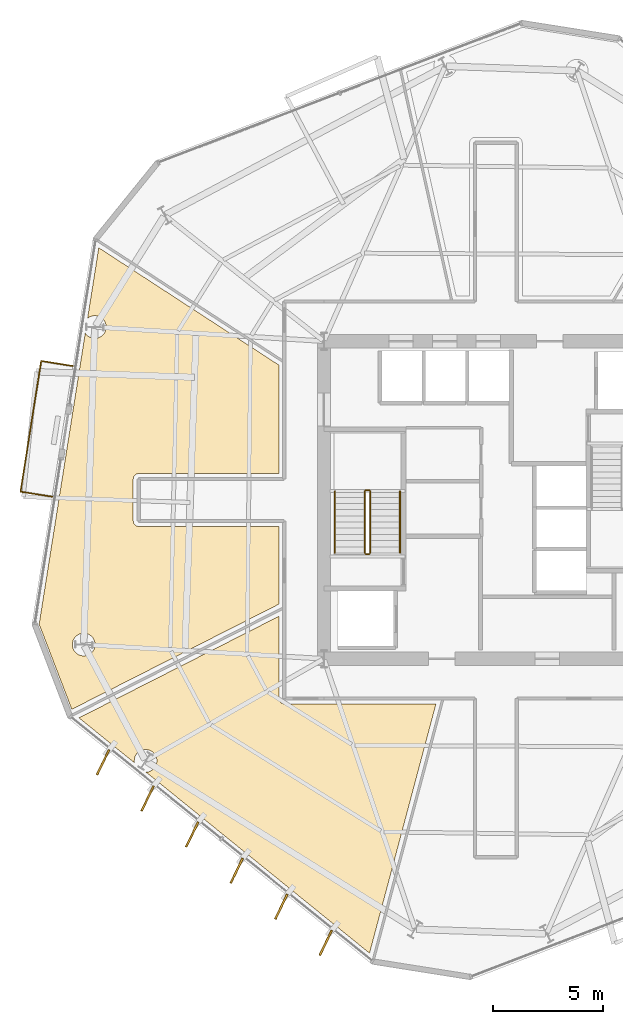
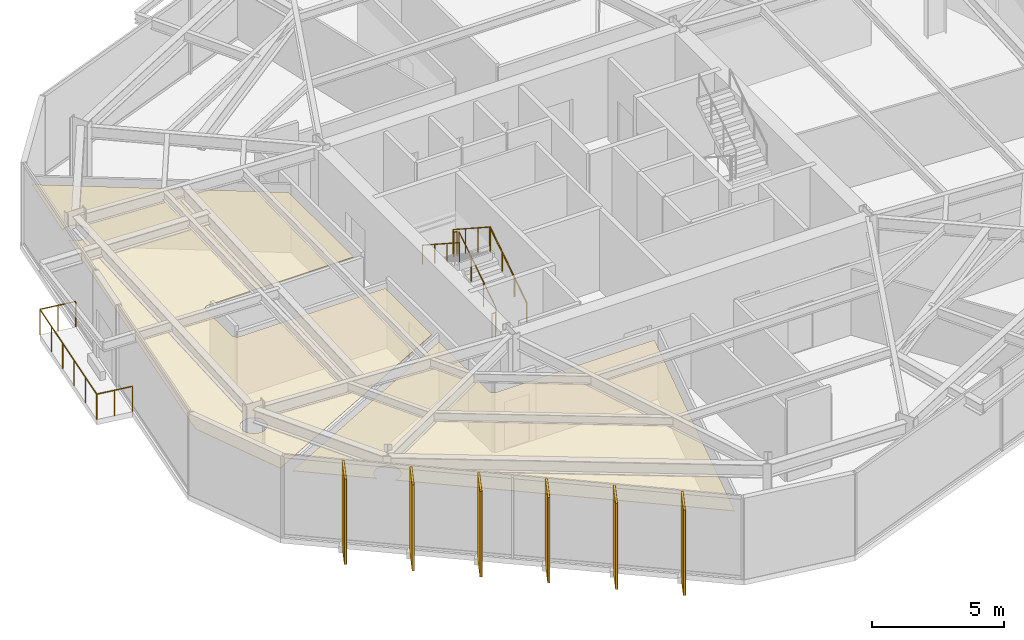
# One storey, part 9 of 11: 8 coverings, 7 railings, 6 shading devices.
"""IFC4 building model written with IfcOpenShell, lengths in metres."""

from ifc_helpers import new_model, si_unit, direction, frame, origin, origin_2d, place, context, subcontext, project, spatial, polyline, rectangle, circle, outline, extrude, material, layer, layer_set, type_object, element, save


model = new_model("IFC4")

# Units and contexts
model_context = context("Model", 3, precision=1e-05, world=origin(), true_north=direction((0.0, 1.0)))
body_context = subcontext(model_context, "Body", "Model", "MODEL_VIEW")
ifc_project = project(units=[si_unit("LENGTHUNIT", "METRE"), si_unit("AREAUNIT", "SQUARE_METRE"), si_unit("VOLUMEUNIT", "CUBIC_METRE"), si_unit("PLANEANGLEUNIT", "RADIAN"), si_unit("MASSUNIT", "GRAM", prefix="KILO")], contexts=[model_context])

# Site, building, storey
site_placement = place(None, origin())
site = spatial("IfcSite", under=ifc_project, at=site_placement, CompositionType="ELEMENT")
building_placement = place(site_placement, origin())
building = spatial("IfcBuilding", under=site, at=building_placement, Name="Kranzbogen Civic Tower", CompositionType="ELEMENT")
storey_placement = place(building_placement, frame((0.0, 0.0, 106.39990234375)))
storey = spatial("IfcBuildingStorey", under=building, at=storey_placement, Name="L25", CompositionType="ELEMENT", Elevation=106.39990234375)

# Coverings
ifc_material_1 = material(Name="Pale Anodised Aluminium", Category="aluminium")
ifc_layer_1 = layer(ifc_material_1, 0.02490234375, Name="Pale Anodised Aluminium")
ifc_layer_set_1 = layer_set([ifc_layer_1], Name="Pale Anodised Aluminium")
covering_type_1 = type_object("IfcCoveringType", Name="Anodised Aluminium Vertical Fin Cladding 25 mm", PredefinedType="CLADDING", material=ifc_layer_set_1)
for number, where, z_axis, x_axis, name in (
    (1, (7.18408203125, 13.10205078125, -0.139892578125), (0.0, 0.0, 1.0), (-0.436000902934, -0.899946227638, 0.0), "L25 vertical fin pale-metal cladding F4-1"),
    (2, (9.205078125, 11.465087890625, -0.139892578125), (0.0, 0.0, 1.0), (-0.436000902934, -0.899946227638, 0.0), "L25 vertical fin pale-metal cladding F4-2"),
    (3, (11.22509765625, 9.8291015625, -0.139892578125), (0.0, 0.0, 1.0), (-0.436000902934, -0.899946227638, 0.0), "L25 vertical fin pale-metal cladding F4-3"),
    (4, (13.24609375, 8.193115234375, -0.139892578125), (0.0, 0.0, 1.0), (-0.436000902934, -0.899946227638, 0.0), "L25 vertical fin pale-metal cladding F4-4"),
    (5, (15.26611328125, 6.555908203125, -0.139892578125), (0.0, 0.0, 1.0), (-0.436000902934, -0.899946227638, 0.0), "L25 vertical fin pale-metal cladding F4-5"),
    (6, (17.287109375, 4.919921875, -0.139892578125), (0.0, 0.0, 1.0), (-0.436000902934, -0.899946227638, 0.0), "L25 vertical fin pale-metal cladding F4-6"),
):
    element("IfcCovering", number, at=place(storey_placement, frame(where, z_axis=z_axis, x_axis=x_axis)), inside=storey, type_object=covering_type_1, Name=name, PredefinedType="CLADDING", context=body_context, shape_type="SweptSolid", body=[
        extrude(rectangle(XDim=1.25, YDim=0.10009765625, at=origin_2d()), origin(), (0.0, 0.0, 1.0), 3.9599609375),
    ])

# Shading devices
ifc_material_2 = material(Name="Anodised Bronze Aluminium", Category="aluminium")
shading_device_type = type_object("IfcShadingDeviceType", Name="Anodised Bronze Vertical Facade Fin 1250x80", PredefinedType="USERDEFINED", material=ifc_material_2)
for number, where, z_axis, x_axis, name in (
    (7, (7.18408203125, 13.10205078125, -0.139892578125), (0.0, 0.0, 1.0), (-0.436000902934, -0.899946227638, 0.0), "L25 vertical exterior shading fin F4-1"),
    (8, (9.205078125, 11.465087890625, -0.139892578125), (0.0, 0.0, 1.0), (-0.436000902934, -0.899946227638, 0.0), "L25 vertical exterior shading fin F4-2"),
    (9, (11.22509765625, 9.8291015625, -0.139892578125), (0.0, 0.0, 1.0), (-0.436000902934, -0.899946227638, 0.0), "L25 vertical exterior shading fin F4-3"),
    (10, (13.24609375, 8.193115234375, -0.139892578125), (0.0, 0.0, 1.0), (-0.436000902934, -0.899946227638, 0.0), "L25 vertical exterior shading fin F4-4"),
    (11, (15.26611328125, 6.555908203125, -0.139892578125), (0.0, 0.0, 1.0), (-0.436000902934, -0.899946227638, 0.0), "L25 vertical exterior shading fin F4-5"),
    (12, (17.287109375, 4.919921875, -0.139892578125), (0.0, 0.0, 1.0), (-0.436000902934, -0.899946227638, 0.0), "L25 vertical exterior shading fin F4-6"),
):
    element("IfcShadingDevice", number, at=place(storey_placement, frame(where, z_axis=z_axis, x_axis=x_axis)), inside=storey, type_object=shading_device_type, Name=name, ObjectType="FIN", PredefinedType="USERDEFINED", context=body_context, shape_type="SweptSolid", body=[
        extrude(rectangle(XDim=1.25, YDim=0.080078125, at=origin_2d()), origin(), (0.0, 0.0, 1.0), 3.9599609375),
    ])

# Railings
railing_type_1 = type_object("IfcRailingType", Name="Cantilevered Balcony Glass and Bronze Balustrade 1200", PredefinedType="BALUSTRADE", material=ifc_material_2)
railing_1_placement = place(storey_placement, frame((5.81396484375, 31.075927734375, 0.0)))
element("IfcRailing", 13, at=railing_1_placement, inside=storey, type_object=railing_type_1, Name="L25 exterior terrace balustrade L25-TB2", PredefinedType="BALUSTRADE", context=body_context, shape_type="SweptSolid", body=[
    extrude(circle(Radius=0.02392578125, at=origin_2d()), frame((0.0, 0.0, 1.17578125), z_axis=(-0.987660347587, 0.156611103709, 0.0), x_axis=(-0.156611103709, -0.987660347587, 0.0)), (0.0, 0.0, 1.0), 1.44970703125),
    extrude(circle(Radius=0.02392578125, at=origin_2d()), frame((-1.431884765625, 0.22705078125, 1.17578125), z_axis=(-0.156336593803, -0.987703836906, 0.0), x_axis=(0.987703836906, -0.156336593803, 0.0)), (0.0, 0.0, 1.0), 5.999755859375),
    extrude(circle(Radius=0.02392578125, at=origin_2d()), frame((-2.369873046875, -5.698974609375, 1.17578125), z_axis=(0.987660347587, -0.156611103709, 0.0), x_axis=(0.156611103709, 0.987660347587, 0.0)), (0.0, 0.0, 1.0), 1.44970703125),
    extrude(circle(Radius=0.02099609375, at=origin_2d()), origin(), (0.0, 0.0, 1.0), 1.15185546875),
    extrude(circle(Radius=0.02099609375, at=origin_2d()), frame((-0.7158203125, 0.113525390625, 0.0)), (0.0, 0.0, 1.0), 1.15185546875),
    extrude(circle(Radius=0.02099609375, at=origin_2d()), frame((-1.431884765625, 0.22705078125, 0.0)), (0.0, 0.0, 1.0), 1.15185546875),
    extrude(circle(Radius=0.02099609375, at=origin_2d()), frame((-1.619384765625, -0.958251953125, 0.0)), (0.0, 0.0, 1.0), 1.15185546875),
    extrude(circle(Radius=0.02099609375, at=origin_2d()), frame((-1.80712890625, -2.143310546875, 0.0)), (0.0, 0.0, 1.0), 1.15185546875),
    extrude(circle(Radius=0.02099609375, at=origin_2d()), frame((-1.99462890625, -3.32861328125, 0.0)), (0.0, 0.0, 1.0), 1.15185546875),
    extrude(circle(Radius=0.02099609375, at=origin_2d()), frame((-2.182373046875, -4.513671875, 0.0)), (0.0, 0.0, 1.0), 1.15185546875),
    extrude(circle(Radius=0.02099609375, at=origin_2d()), frame((-2.369873046875, -5.698974609375, 0.0)), (0.0, 0.0, 1.0), 1.15185546875),
    extrude(circle(Radius=0.02099609375, at=origin_2d()), frame((-1.65380859375, -5.8125, 0.0)), (0.0, 0.0, 1.0), 1.15185546875),
    extrude(circle(Radius=0.02099609375, at=origin_2d()), frame((-0.93798828125, -5.926025390625, 0.0)), (0.0, 0.0, 1.0), 1.15185546875),
])
ifc_material_3 = material(Name="Steel S355", Category="steel")
railing_type_2 = type_object("IfcRailingType", Name="Internal Stair and Void Steel Guardrail 1150", PredefinedType="GUARDRAIL", material=ifc_material_3)
railing_2_placement = place(storey_placement, frame((19.300048828125, 22.60009765625, 0.181884765625)))
element("IfcRailing", 14, at=railing_2_placement, inside=storey, type_object=railing_type_2, Name="L25 ST-T1 stair guard 1", PredefinedType="GUARDRAIL", context=body_context, shape_type="SweptSolid", body=[
    extrude(circle(Radius=0.02392578125, at=origin_2d()), frame((0.0, 0.0, 1.1259765625), z_axis=(0.0, 0.83868413941, 0.544618136222), x_axis=(-1.0, 0.0, 0.0)), (0.0, 0.0, 1.0), 3.33837890625),
    extrude(circle(Radius=0.02099609375, at=origin_2d()), origin(), (0.0, 0.0, 1.0), 1.101806640625),
    extrude(circle(Radius=0.02099609375, at=origin_2d()), frame((0.0, 0.933349609375, 0.60595703125)), (0.0, 0.0, 1.0), 1.101806640625),
    extrude(circle(Radius=0.02099609375, at=origin_2d()), frame((0.0, 1.866455078125, 1.212158203125)), (0.0, 0.0, 1.0), 1.101806640625),
    extrude(circle(Radius=0.02099609375, at=origin_2d()), frame((0.0, 2.7998046875, 1.818115234375)), (0.0, 0.0, 1.0), 1.101806640625),
])
railing_3_placement = place(storey_placement, frame((19.25, 25.449951171875, 2.0)))
element("IfcRailing", 15, at=railing_3_placement, inside=storey, type_object=railing_type_2, Name="L25 ST-T1 stair guard 2", PredefinedType="GUARDRAIL", context=body_context, shape_type="SweptSolid", body=[
    extrude(circle(Radius=0.02392578125, at=origin_2d()), frame((0.0, 0.0, 1.1259765625), z_axis=(-1.0, 0.0, 0.0), x_axis=(0.0, -1.0, 0.0)), (0.0, 0.0, 1.0), 0.14990234375),
    extrude(circle(Radius=0.02099609375, at=origin_2d()), origin(), (0.0, 0.0, 1.0), 1.101806640625),
    extrude(circle(Radius=0.02099609375, at=origin_2d()), frame((-0.14990234375, 0.0, 0.0)), (0.0, 0.0, 1.0), 1.101806640625),
])
railing_4_placement = place(storey_placement, frame((19.050048828125, 25.39990234375, 2.181884765625)))
element("IfcRailing", 16, at=railing_4_placement, inside=storey, type_object=railing_type_2, Name="L25 ST-T1 stair guard 3", PredefinedType="GUARDRAIL", context=body_context, shape_type="SweptSolid", body=[
    extrude(circle(Radius=0.02392578125, at=origin_2d()), frame((0.0, 0.0, 1.1259765625), z_axis=(0.0, -0.83868413941, 0.544618136222), x_axis=(1.0, 0.0, 0.0)), (0.0, 0.0, 1.0), 3.33837890625),
    extrude(circle(Radius=0.02099609375, at=origin_2d()), origin(), (0.0, 0.0, 1.0), 1.101806640625),
    extrude(circle(Radius=0.02099609375, at=origin_2d()), frame((0.0, -0.933349609375, 0.60595703125)), (0.0, 0.0, 1.0), 1.101806640625),
    extrude(circle(Radius=0.02099609375, at=origin_2d()), frame((0.0, -1.866455078125, 1.212158203125)), (0.0, 0.0, 1.0), 1.101806640625),
    extrude(circle(Radius=0.02099609375, at=origin_2d()), frame((0.0, -2.7998046875, 1.818115234375)), (0.0, 0.0, 1.0), 1.101806640625),
])
railing_5_placement = place(storey_placement, frame((19.25, 22.550048828125, 0.0)))
element("IfcRailing", 17, at=railing_5_placement, inside=storey, type_object=railing_type_2, Name="L25 ST-T1 stair guard 4", PredefinedType="GUARDRAIL", context=body_context, shape_type="SweptSolid", body=[
    extrude(circle(Radius=0.02392578125, at=origin_2d()), frame((0.0, 0.0, 1.1259765625), z_axis=(-1.0, 0.0, 0.0), x_axis=(0.0, -1.0, 0.0)), (0.0, 0.0, 1.0), 0.14990234375),
    extrude(circle(Radius=0.02099609375, at=origin_2d()), origin(), (0.0, 0.0, 1.0), 1.101806640625),
    extrude(circle(Radius=0.02099609375, at=origin_2d()), frame((-0.14990234375, 0.0, 0.0)), (0.0, 0.0, 1.0), 1.101806640625),
])

# Coverings
ifc_material_4 = material(Name="Perforated Acoustic Gypsum Ceiling")
ifc_layer_2 = layer(ifc_material_4, 0.02490234375, Name="Perforated Acoustic Gypsum Ceiling")
ifc_layer_set_2 = layer_set([ifc_layer_2], Name="Perforated Acoustic Gypsum Ceiling")
covering_type_2 = type_object("IfcCoveringType", Name="Perforated Acoustic Mineral Ceiling Tile 25 mm", PredefinedType="CEILING", material=ifc_layer_set_2)
covering_1_placement = place(storey_placement, frame((0.0, 0.0, 2.900146484375)))
element("IfcCovering", 18, at=covering_1_placement, inside=storey, type_object=covering_type_2, Name="L25 Executive Briefing Conference Room acoustic ceiling", PredefinedType="CEILING", context=body_context, shape_type="SweptSolid", body=[
    extrude(outline(polyline([(15.155029296875, 19.72509765625), (15.155029296875, 16.0), (15.155029296875, 15.990966796875), (15.156005859375, 15.985107421875), (15.156982421875, 15.967041015625), (15.157958984375, 15.9609375), (15.162109375, 15.944091796875), (15.1630859375, 15.93701171875), (15.16796875, 15.919921875), (15.169921875, 15.9140625), (15.177001953125, 15.89794921875), (15.179931640625, 15.89208984375), (15.18798828125, 15.876953125), (15.19189453125, 15.87109375), (15.200927734375, 15.85693359375), (15.205078125, 15.85205078125), (15.216064453125, 15.837890625), (15.220947265625, 15.8330078125), (15.23291015625, 15.821044921875), (15.238037109375, 15.81591796875), (15.251953125, 15.804931640625), (15.257080078125, 15.801025390625), (15.27099609375, 15.7919921875), (15.277099609375, 15.7880859375), (15.2919921875, 15.780029296875), (15.298095703125, 15.777099609375), (15.31396484375, 15.77001953125), (15.320068359375, 15.76806640625), (15.3369140625, 15.762939453125), (15.343994140625, 15.761962890625), (15.361083984375, 15.758056640625), (15.366943359375, 15.757080078125), (15.385009765625, 15.756103515625), (15.39111328125, 15.7548828125), (15.39990234375, 15.7548828125), (22.281982421875, 15.7548828125), (19.26904296875, 4.451904296875), (9.135986328125, 12.657958984375), (9.1640625, 12.658935546875), (9.214111328125, 12.6669921875), (9.262939453125, 12.678955078125), (9.31103515625, 12.696044921875), (9.35595703125, 12.717041015625), (9.39990234375, 12.742919921875), (9.43994140625, 12.77294921875), (9.47802734375, 12.806884765625), (9.511962890625, 12.844970703125), (9.5419921875, 12.885009765625), (9.568115234375, 12.928955078125), (9.589111328125, 12.97412109375), (9.60595703125, 13.02197265625), (9.617919921875, 13.071044921875), (9.6259765625, 13.12109375), (9.6279296875, 13.1708984375), (9.6259765625, 13.220947265625), (9.617919921875, 13.27099609375), (9.60595703125, 13.320068359375), (9.589111328125, 13.367919921875), (9.568115234375, 13.4130859375), (9.5419921875, 13.45703125), (9.511962890625, 13.4970703125), (9.47802734375, 13.534912109375), (9.43994140625, 13.569091796875), (9.39990234375, 13.59912109375), (9.35595703125, 13.625), (9.31103515625, 13.64599609375), (9.262939453125, 13.6630859375), (9.214111328125, 13.675048828125), (9.1640625, 13.68310546875), (9.114013671875, 13.68505859375), (9.06396484375, 13.68310546875), (9.013916015625, 13.675048828125), (8.965087890625, 13.6630859375), (8.9169921875, 13.64599609375), (8.8720703125, 13.625), (8.827880859375, 13.59912109375), (8.7880859375, 13.569091796875), (8.75, 13.534912109375), (8.716064453125, 13.4970703125), (8.68603515625, 13.45703125), (8.659912109375, 13.4130859375), (8.638916015625, 13.367919921875), (8.6220703125, 13.320068359375), (8.610107421875, 13.27099609375), (8.60205078125, 13.220947265625), (8.60009765625, 13.1708984375), (8.60205078125, 13.12109375), (8.60693359375, 13.0859375), (6.093017578125, 15.1220703125), (15.155029296875, 19.72509765625)])), origin(), (0.0, 0.0, 1.0), 0.02490234375),
])
covering_2_placement = place(storey_placement, frame((0.0, 0.0, 2.900146484375)))
element("IfcCovering", 19, at=covering_2_placement, inside=storey, type_object=covering_type_2, Name="L25 Public Delegation Reception acoustic ceiling", PredefinedType="CEILING", context=body_context, shape_type="SweptSolid", body=[
    extrude(outline(polyline([(6.3798828125, 32.568115234375), (6.385009765625, 32.55810546875), (6.4150390625, 32.51806640625), (6.448974609375, 32.47998046875), (6.487060546875, 32.446044921875), (6.527099609375, 32.416015625), (6.571044921875, 32.389892578125), (6.615966796875, 32.368896484375), (6.6640625, 32.35205078125), (6.712890625, 32.340087890625), (6.762939453125, 32.33203125), (6.81298828125, 32.330078125), (6.863037109375, 32.33203125), (6.9130859375, 32.340087890625), (6.9619140625, 32.35205078125), (7.010009765625, 32.368896484375), (7.054931640625, 32.389892578125), (7.09912109375, 32.416015625), (7.138916015625, 32.446044921875), (7.177001953125, 32.47998046875), (7.2109375, 32.51806640625), (7.240966796875, 32.55810546875), (7.26708984375, 32.60205078125), (7.2880859375, 32.64697265625), (7.304931640625, 32.695068359375), (7.31689453125, 32.743896484375), (7.324951171875, 32.7939453125), (7.326904296875, 32.843994140625), (7.324951171875, 32.89404296875), (7.31689453125, 32.944091796875), (7.304931640625, 32.992919921875), (7.2880859375, 33.041015625), (7.26708984375, 33.0859375), (7.240966796875, 33.1298828125), (7.2109375, 33.169921875), (7.177001953125, 33.2080078125), (7.138916015625, 33.241943359375), (7.09912109375, 33.27197265625), (7.054931640625, 33.298095703125), (7.010009765625, 33.319091796875), (6.9619140625, 33.3359375), (6.9130859375, 33.347900390625), (6.863037109375, 33.35595703125), (6.81298828125, 33.35791015625), (6.762939453125, 33.35595703125), (6.712890625, 33.347900390625), (6.6640625, 33.3359375), (6.615966796875, 33.319091796875), (6.571044921875, 33.298095703125), (6.527099609375, 33.27197265625), (6.487060546875, 33.241943359375), (6.486083984375, 33.240966796875), (6.991943359375, 36.43603515625), (15.155029296875, 31.118896484375), (15.155029296875, 26.195068359375), (8.800048828125, 26.195068359375), (8.791015625, 26.195068359375), (8.784912109375, 26.194091796875), (8.76708984375, 26.193115234375), (8.760986328125, 26.19189453125), (8.743896484375, 26.18798828125), (8.737060546875, 26.18701171875), (8.719970703125, 26.181884765625), (8.714111328125, 26.179931640625), (8.697998046875, 26.173095703125), (8.69189453125, 26.169921875), (8.677001953125, 26.162109375), (8.6708984375, 26.157958984375), (8.656982421875, 26.14892578125), (8.652099609375, 26.14501953125), (8.637939453125, 26.134033203125), (8.633056640625, 26.12890625), (8.62109375, 26.116943359375), (8.615966796875, 26.112060546875), (8.60498046875, 26.097900390625), (8.60107421875, 26.093017578125), (8.592041015625, 26.0791015625), (8.587890625, 26.072998046875), (8.580078125, 26.05810546875), (8.576904296875, 26.052001953125), (8.570068359375, 26.035888671875), (8.568115234375, 26.030029296875), (8.56298828125, 26.012939453125), (8.56201171875, 26.006103515625), (8.55810546875, 25.989013671875), (8.556884765625, 25.98291015625), (8.555908203125, 25.965087890625), (8.554931640625, 25.958984375), (8.554931640625, 25.949951171875), (8.554931640625, 24.050048828125), (8.554931640625, 24.041015625), (8.555908203125, 24.034912109375), (8.556884765625, 24.01708984375), (8.55810546875, 24.010986328125), (8.56201171875, 23.993896484375), (8.56298828125, 23.987060546875), (8.568115234375, 23.969970703125), (8.570068359375, 23.964111328125), (8.576904296875, 23.947998046875), (8.580078125, 23.94189453125), (8.587890625, 23.927001953125), (8.592041015625, 23.9208984375), (8.60107421875, 23.906982421875), (8.60498046875, 23.902099609375), (8.615966796875, 23.887939453125), (8.62109375, 23.883056640625), (8.633056640625, 23.87109375), (8.637939453125, 23.865966796875), (8.652099609375, 23.85498046875), (8.656982421875, 23.85107421875), (8.6708984375, 23.842041015625), (8.677001953125, 23.837890625), (8.69189453125, 23.830078125), (8.697998046875, 23.826904296875), (8.714111328125, 23.820068359375), (8.719970703125, 23.818115234375), (8.737060546875, 23.81298828125), (8.743896484375, 23.81201171875), (8.760986328125, 23.80810546875), (8.76708984375, 23.806884765625), (8.784912109375, 23.805908203125), (8.791015625, 23.804931640625), (8.800048828125, 23.804931640625), (15.155029296875, 23.804931640625), (15.155029296875, 20.27490234375), (5.77001953125, 15.508056640625), (4.2890625, 19.365966796875), (6.3798828125, 32.568115234375)]), holes=[polyline([(6.784912109375, 18.2470703125), (6.763916015625, 18.201904296875), (6.738037109375, 18.157958984375), (6.7080078125, 18.117919921875), (6.674072265625, 18.080078125), (6.635986328125, 18.0458984375), (6.595947265625, 18.01611328125), (6.552001953125, 17.989990234375), (6.507080078125, 17.968994140625), (6.458984375, 17.951904296875), (6.409912109375, 17.93994140625), (6.360107421875, 17.931884765625), (6.31005859375, 17.929931640625), (6.260009765625, 17.931884765625), (6.2099609375, 17.93994140625), (6.160888671875, 17.951904296875), (6.113037109375, 17.968994140625), (6.068115234375, 17.989990234375), (6.02392578125, 18.01611328125), (5.98388671875, 18.0458984375), (5.946044921875, 18.080078125), (5.912109375, 18.117919921875), (5.882080078125, 18.157958984375), (5.85595703125, 18.201904296875), (5.8349609375, 18.2470703125), (5.818115234375, 18.294921875), (5.805908203125, 18.343994140625), (5.798095703125, 18.39404296875), (5.7958984375, 18.444091796875), (5.798095703125, 18.493896484375), (5.805908203125, 18.5439453125), (5.818115234375, 18.593017578125), (5.8349609375, 18.64111328125), (5.85595703125, 18.68603515625), (5.882080078125, 18.72998046875), (5.912109375, 18.77001953125), (5.946044921875, 18.80810546875), (5.98388671875, 18.842041015625), (6.02392578125, 18.8720703125), (6.068115234375, 18.89794921875), (6.113037109375, 18.9189453125), (6.160888671875, 18.93603515625), (6.2099609375, 18.947998046875), (6.260009765625, 18.9560546875), (6.31005859375, 18.9580078125), (6.360107421875, 18.9560546875), (6.409912109375, 18.947998046875), (6.458984375, 18.93603515625), (6.507080078125, 18.9189453125), (6.552001953125, 18.89794921875), (6.595947265625, 18.8720703125), (6.635986328125, 18.842041015625), (6.674072265625, 18.80810546875), (6.7080078125, 18.77001953125), (6.738037109375, 18.72998046875), (6.763916015625, 18.68603515625), (6.784912109375, 18.64111328125), (6.802001953125, 18.593017578125), (6.81396484375, 18.5439453125), (6.822021484375, 18.493896484375), (6.823974609375, 18.444091796875), (6.822021484375, 18.39404296875), (6.81396484375, 18.343994140625), (6.802001953125, 18.294921875), (6.784912109375, 18.2470703125)])]), origin(), (0.0, 0.0, 1.0), 0.02490234375),
])

# Railings
railing_type_3 = type_object("IfcRailingType", Name="Tubular Stainless Stair Wall Handrail 900", PredefinedType="HANDRAIL", material=ifc_material_1)
railing_6_placement = place(storey_placement, frame((20.64990234375, 22.60009765625, 0.181884765625)))
element("IfcRailing", 20, at=railing_6_placement, inside=storey, type_object=railing_type_3, Name="L25 ST-T1 stair handrail 1", PredefinedType="HANDRAIL", context=body_context, shape_type="SweptSolid", body=[
    extrude(circle(Radius=0.02392578125, at=origin_2d()), frame((0.0, 0.0, 0.8759765625), z_axis=(0.0, 0.83868413941, 0.544618136222), x_axis=(-1.0, 0.0, 0.0)), (0.0, 0.0, 1.0), 3.33837890625),
    extrude(circle(Radius=0.02099609375, at=origin_2d()), origin(), (0.0, 0.0, 1.0), 0.851806640625),
    extrude(circle(Radius=0.02099609375, at=origin_2d()), frame((0.0, 0.933349609375, 0.60595703125)), (0.0, 0.0, 1.0), 0.851806640625),
    extrude(circle(Radius=0.02099609375, at=origin_2d()), frame((0.0, 1.866455078125, 1.212158203125)), (0.0, 0.0, 1.0), 0.851806640625),
    extrude(circle(Radius=0.02099609375, at=origin_2d()), frame((0.0, 2.7998046875, 1.818115234375)), (0.0, 0.0, 1.0), 0.851806640625),
])
railing_7_placement = place(storey_placement, frame((17.699951171875, 25.39990234375, 2.181884765625)))
element("IfcRailing", 21, at=railing_7_placement, inside=storey, type_object=railing_type_3, Name="L25 ST-T1 stair handrail 2", PredefinedType="HANDRAIL", context=body_context, shape_type="SweptSolid", body=[
    extrude(circle(Radius=0.02392578125, at=origin_2d()), frame((0.0, 0.0, 0.8759765625), z_axis=(0.0, -0.83868413941, 0.544618136222), x_axis=(1.0, 0.0, 0.0)), (0.0, 0.0, 1.0), 3.33837890625),
    extrude(circle(Radius=0.02099609375, at=origin_2d()), origin(), (0.0, 0.0, 1.0), 0.851806640625),
    extrude(circle(Radius=0.02099609375, at=origin_2d()), frame((0.0, -0.933349609375, 0.60595703125)), (0.0, 0.0, 1.0), 0.851806640625),
    extrude(circle(Radius=0.02099609375, at=origin_2d()), frame((0.0, -1.866455078125, 1.212158203125)), (0.0, 0.0, 1.0), 0.851806640625),
    extrude(circle(Radius=0.02099609375, at=origin_2d()), frame((0.0, -2.7998046875, 1.818115234375)), (0.0, 0.0, 1.0), 0.851806640625),
])

save(model, "model.ifc")
